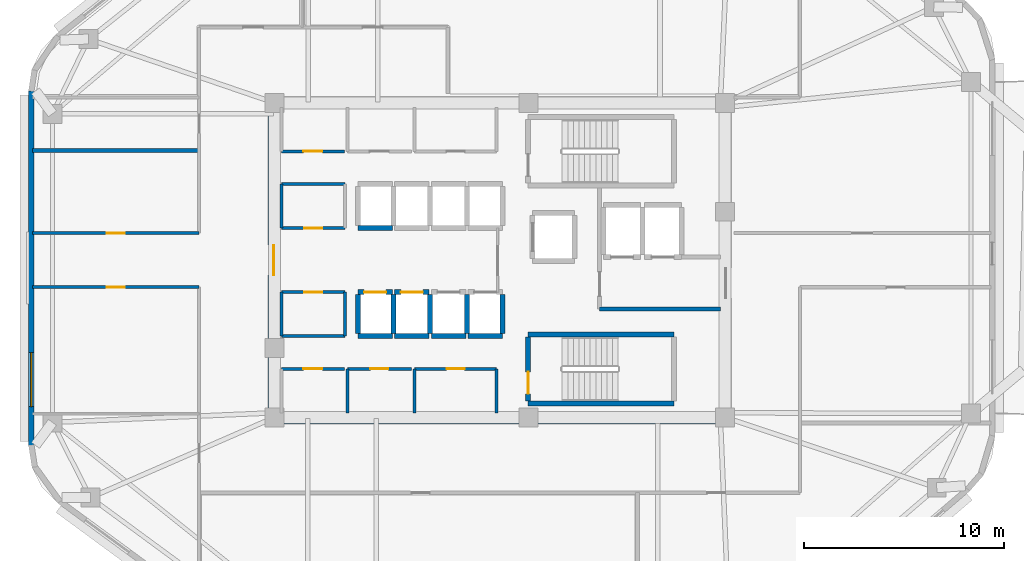
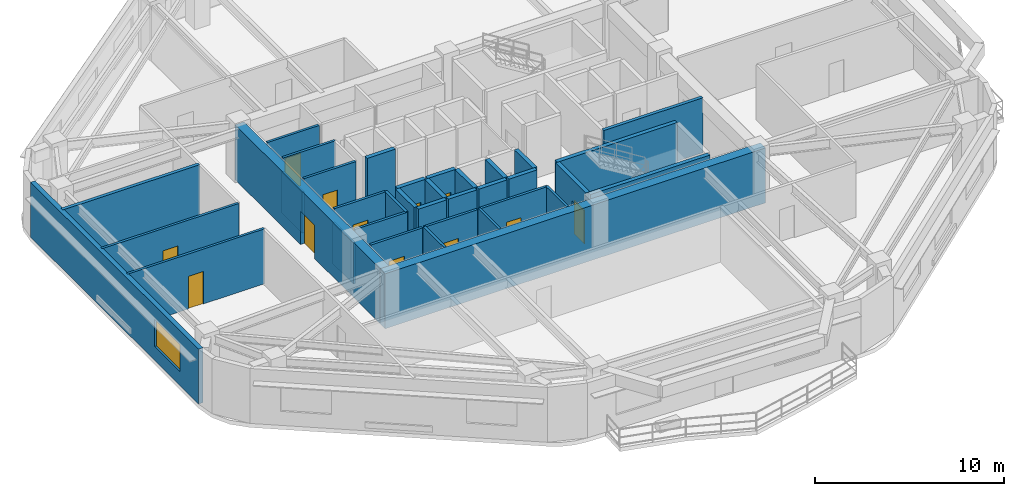
# One storey, part 3 of 8: 36 walls, 12 doors, 1 window, 13 openings.
"""IFC4 building model written with IfcOpenShell, lengths in metres."""

from ifc_helpers import new_model, si_unit, direction, frame, frame_2d, origin, place, context, subcontext, project, spatial, rectangle, extrude, material, layer, layer_set, type_object, element, fill, save


model = new_model("IFC4")

# Units and contexts
model_context = context("Model", 3, precision=1e-05, world=origin(), true_north=direction((0.0, 1.0)))
body_context = subcontext(model_context, "Body", "Model", "MODEL_VIEW")
ifc_project = project(units=[si_unit("LENGTHUNIT", "METRE"), si_unit("AREAUNIT", "SQUARE_METRE"), si_unit("VOLUMEUNIT", "CUBIC_METRE"), si_unit("PLANEANGLEUNIT", "RADIAN"), si_unit("MASSUNIT", "GRAM", prefix="KILO")], contexts=[model_context])

# Site, building, storey
site_placement = place(None, origin())
site = spatial("IfcSite", under=ifc_project, at=site_placement, CompositionType="ELEMENT")
building_placement = place(site_placement, origin())
building = spatial("IfcBuilding", under=site, at=building_placement, Name="Zulverin Broadcast Headquarters", CompositionType="ELEMENT")
storey_placement = place(building_placement, frame((0.0, 0.0, 163.0)))
storey = spatial("IfcBuildingStorey", under=building, at=storey_placement, Name="L41", CompositionType="ELEMENT", Elevation=163.0)

# Walls
ifc_material_1 = material(Name="Acoustic drywall steel stud", Category="steel")
ifc_layer_1 = layer(ifc_material_1, 0.199951171875, Name="Acoustic drywall steel stud", Category="steel")
ifc_layer_set_1 = layer_set([ifc_layer_1], Name="Acoustic drywall steel stud")
wall_type_1 = type_object("IfcWallType", Name="WL-ACOU-200", PredefinedType="PARTITIONING", material=ifc_layer_set_1)
wall_1_placement = place(storey_placement, frame((13.60498046875, 30.699951171875, 0.0), z_axis=(0.0, 0.0, 1.0), x_axis=(1.0, 0.0, 0.0)))
element("IfcWall", 1, at=wall_1_placement, inside=storey, type_object=wall_type_1, Name="L41 Room Partition Wall RP-15", PredefinedType="PARTITIONING", context=body_context, shape_type="SweptSolid", body=[
    extrude(rectangle(XDim=8.344970703125, YDim=0.199951171875, at=frame_2d((4.17236328125, 0.0))), origin(), (0.0, 0.0, 1.0), 3.5400390625),
])
ifc_material_2 = material(Name="Concrete C60/75", Category="concrete")
ifc_layer_2 = layer(ifc_material_2, 0.550048828125, Name="Concrete C60/75", Category="concrete")
ifc_layer_set_2 = layer_set([ifc_layer_2], Name="Concrete C60/75")
wall_type_2 = type_object("IfcWallType", Name="WL-CORE-550", PredefinedType="SHEAR", material=ifc_layer_set_2)
wall_2_placement = place(storey_placement, frame((25.39990234375, 17.27490234375, 0.0), z_axis=(0.0, 0.0, 1.0), x_axis=(1.0, 0.0, 0.0)))
element("IfcWall", 2, at=wall_2_placement, inside=storey, type_object=wall_type_2, Name="L41 Core South Shear Wall", PredefinedType="SHEAR", context=body_context, shape_type="SweptSolid", body=[
    extrude(rectangle(XDim=23.2001953125, YDim=0.550048828125, at=frame_2d((11.60009765625, 0.0))), origin(), (0.0, 0.0, 1.0), 3.5400390625),
])

# Wall, opening, door
wall_3_placement = place(storey_placement, frame((25.675048828125, 17.550048828125, 0.0), z_axis=(0.0, 0.0, 1.0), x_axis=(0.0, 1.0, 0.0)))
wall_3 = element("IfcWall", 3, at=wall_3_placement, inside=storey, type_object=wall_type_2, Name="L41 Core West Shear Wall", PredefinedType="SHEAR", context=body_context, shape_type="SweptSolid", body=[
    extrude(rectangle(XDim=15.300048828125, YDim=0.550048828125, at=frame_2d((7.64990234375, 0.0))), origin(), (0.0, 0.0, 1.0), 3.5400390625),
])
opening_1_placement = place(wall_3_placement, frame((6.89990234375, 0.0, 0.0)))
opening_1 = element("IfcOpeningElement", 4, at=opening_1_placement, cuts=wall_3, Name="Opening D-L41-CW1", PredefinedType="OPENING", context=body_context, shape_type="SweptSolid", body=[
    extrude(rectangle(XDim=1.5, YDim=2.14990234375, at=frame_2d((0.75, 1.074951171875))), frame((0.0, 0.284912109375, 0.0), z_axis=(0.0, -1.0, 0.0), x_axis=(1.0, 0.0, 0.0)), (0.0, 0.0, 1.0), 0.570068359375),
])
ifc_material_3 = material(Name="Fire-rated glazed steel frame", Category="steel")
door_type_1 = type_object("IfcDoorType", Name="DR-COR-1500", OperationType="DOUBLE_DOOR_SINGLE_SWING", PredefinedType="DOOR", material=ifc_material_3)
door_1_placement = place(opening_1_placement, origin())
door_1 = element("IfcDoor", 5, at=door_1_placement, inside=storey, type_object=door_type_1, Name="L41 Central Lift Lobby West Portal Door", OperationType="DOUBLE_DOOR_SINGLE_SWING", OverallHeight=2.14990234375, OverallWidth=1.5, PredefinedType="DOOR", context=body_context, shape_type="SweptSolid", body=[
    extrude(rectangle(XDim=1.5, YDim=2.14990234375, at=frame_2d((0.75, 1.074951171875))), frame((0.0, 0.02490234375, 0.0), z_axis=(0.0, -1.0, 0.0), x_axis=(1.0, 0.0, 0.0)), (0.0, 0.0, 1.0), 0.050048828125),
])
fill(opening_1, door_1)

# Wall, opening, window
ifc_material_4 = material(Name="Insulated pale-metal clad concrete spandrel C40/50", Category="concrete")
ifc_layer_3 = layer(ifc_material_4, 0.280029296875, Name="Insulated pale-metal clad concrete spandrel C40/50", Category="concrete")
ifc_layer_set_3 = layer_set([ifc_layer_3], Name="Insulated pale-metal clad concrete spandrel C40/50")
wall_type_3 = type_object("IfcWallType", Name="WL-EXT-280", PredefinedType="STANDARD", material=ifc_layer_set_3)
wall_4_placement = place(storey_placement, frame((13.5400390625, 33.673095703125, 0.0), z_axis=(0.0, 0.0, 1.0), x_axis=(0.0, -1.0, 0.0)))
wall_4 = element("IfcWall", 6, at=wall_4_placement, inside=storey, type_object=wall_type_3, Name="L41 Pale-Metal Clad Spandrel Wall 7", PredefinedType="STANDARD", context=body_context, shape_type="SweptSolid", body=[
    extrude(rectangle(XDim=17.751220703125, YDim=0.280029296875, at=frame_2d((8.87548828125, 0.0))), origin(), (0.0, 0.0, 1.0), 3.5400390625),
])
opening_2_placement = place(wall_4_placement, frame((13.109375, 0.0, 0.89990234375)))
opening_2 = element("IfcOpeningElement", 7, at=opening_2_placement, cuts=wall_4, Name="Opening W-L41-E71", PredefinedType="OPENING", context=body_context, shape_type="SweptSolid", body=[
    extrude(rectangle(XDim=2.699951171875, YDim=1.75, at=frame_2d((1.35009765625, 0.875))), frame((0.0, 0.14990234375, 0.0), z_axis=(0.0, -1.0, 0.0), x_axis=(1.0, 0.0, 0.0)), (0.0, 0.0, 1.0), 0.300048828125),
])
ifc_material_5 = material(Name="Pale anodized aluminium frame with solar-control low-E double glazing", Category="aluminium")
window_type = type_object("IfcWindowType", Name="WIN-TWR-2700", PartitioningType="SINGLE_PANEL", PredefinedType="WINDOW", material=ifc_material_5)
window_placement = place(opening_2_placement, origin())
window = element("IfcWindow", 8, at=window_placement, inside=storey, type_object=window_type, Name="L41 Ribbon Glazing Window 7 1", OverallHeight=1.75, OverallWidth=2.699951171875, PartitioningType="SINGLE_PANEL", PredefinedType="WINDOW", context=body_context, shape_type="SweptSolid", body=[
    extrude(rectangle(XDim=2.699951171875, YDim=1.75, at=frame_2d((1.35009765625, 0.875))), frame((0.0, 0.030029296875, 0.0), z_axis=(0.0, -1.0, 0.0), x_axis=(1.0, 0.0, 0.0)), (0.0, 0.0, 1.0), 0.06005859375),
])
fill(opening_2, window)

# Wall
ifc_material_6 = material(Name="Concrete C40/50", Category="concrete")
ifc_layer_4 = layer(ifc_material_6, 0.199951171875, Name="Concrete C40/50", Category="concrete")
ifc_layer_set_4 = layer_set([ifc_layer_4], Name="Concrete C40/50")
wall_type_4 = type_object("IfcWallType", Name="WL-FFL-200", PredefinedType="SOLIDWALL", material=ifc_layer_set_4)
wall_5_placement = place(storey_placement, frame((42.0, 22.75, 0.0), z_axis=(0.0, 0.0, 1.0), x_axis=(1.0, 0.0, 0.0)))
element("IfcWall", 9, at=wall_5_placement, inside=storey, type_object=wall_type_4, Name="L41 Firefighting Lift Lobby South Wall", PredefinedType="SOLIDWALL", context=body_context, shape_type="SweptSolid", body=[
    extrude(rectangle(XDim=6.050048828125, YDim=0.199951171875, at=frame_2d((3.02490234375, 0.0))), origin(), (0.0, 0.0, 1.0), 3.5400390625),
])

# Wall, opening, door
ifc_material_7 = material(Name="Fire-rated gypsum stud partition", Category="gypsum")
ifc_layer_5 = layer(ifc_material_7, 0.14990234375, Name="Fire-rated gypsum stud partition", Category="gypsum")
ifc_layer_set_5 = layer_set([ifc_layer_5], Name="Fire-rated gypsum stud partition")
wall_type_5 = type_object("IfcWallType", Name="WL-PART-150", PredefinedType="PARTITIONING", material=ifc_layer_set_5)
wall_6_placement = place(storey_placement, frame((26.070068359375, 30.64990234375, 0.0), z_axis=(0.0, 0.0, 1.0), x_axis=(1.0, 0.0, 0.0)))
wall_6 = element("IfcWall", 10, at=wall_6_placement, inside=storey, type_object=wall_type_5, Name="L41 Core Male WC Front Wall", PredefinedType="PARTITIONING", context=body_context, shape_type="SweptSolid", body=[
    extrude(rectangle(XDim=3.14990234375, YDim=0.14990234375, at=frame_2d((1.574951171875, 0.0))), origin(), (0.0, 0.0, 1.0), 3.5400390625),
])
opening_3_placement = place(wall_6_placement, frame((1.10009765625, 0.0, 0.0)))
opening_3 = element("IfcOpeningElement", 11, at=opening_3_placement, cuts=wall_6, Name="Opening D-L41-NC1", PredefinedType="OPENING", context=body_context, shape_type="SweptSolid", body=[
    extrude(rectangle(XDim=0.949951171875, YDim=2.10009765625, at=frame_2d((0.47509765625, 1.050048828125))), frame((0.0, 0.0849609375, 0.0), z_axis=(0.0, -1.0, 0.0), x_axis=(1.0, 0.0, 0.0)), (0.0, 0.0, 1.0), 0.169921875),
])
ifc_material_8 = material(Name="Fire-rated moisture-resistant laminate leaf", Category="wood")
door_type_2 = type_object("IfcDoorType", Name="DR-WC-950", OperationType="SINGLE_SWING_LEFT", PredefinedType="DOOR", material=ifc_material_8)
door_2_placement = place(opening_3_placement, origin())
door_2 = element("IfcDoor", 12, at=door_2_placement, inside=storey, type_object=door_type_2, Name="L41 Male WC Door", OperationType="SINGLE_SWING_LEFT", OverallHeight=2.10009765625, OverallWidth=0.949951171875, PredefinedType="DOOR", context=body_context, shape_type="SweptSolid", body=[
    extrude(rectangle(XDim=0.949951171875, YDim=2.10009765625, at=frame_2d((0.47509765625, 1.050048828125))), frame((0.0, 0.02490234375, 0.0), z_axis=(0.0, -1.0, 0.0), x_axis=(1.0, 0.0, 0.0)), (0.0, 0.0, 1.0), 0.050048828125),
])
fill(opening_3, door_2)

wall_7_placement = place(storey_placement, frame((26.070068359375, 19.75, 0.0), z_axis=(0.0, 0.0, 1.0), x_axis=(1.0, 0.0, 0.0)))
wall_7 = element("IfcWall", 13, at=wall_7_placement, inside=storey, type_object=wall_type_5, Name="L41 Core Female WC Front Wall", PredefinedType="PARTITIONING", context=body_context, shape_type="SweptSolid", body=[
    extrude(rectangle(XDim=3.14990234375, YDim=0.14990234375, at=frame_2d((1.574951171875, 0.0))), origin(), (0.0, 0.0, 1.0), 3.5400390625),
])
opening_4_placement = place(wall_7_placement, frame((1.10009765625, 0.0, 0.0)))
opening_4 = element("IfcOpeningElement", 14, at=opening_4_placement, cuts=wall_7, Name="Opening D-L41-SC1", PredefinedType="OPENING", context=body_context, shape_type="SweptSolid", body=[
    extrude(rectangle(XDim=0.949951171875, YDim=2.10009765625, at=frame_2d((0.47509765625, 1.050048828125))), frame((0.0, 0.0849609375, 0.0), z_axis=(0.0, -1.0, 0.0), x_axis=(1.0, 0.0, 0.0)), (0.0, 0.0, 1.0), 0.169921875),
])
door_3_placement = place(opening_4_placement, origin())
door_3 = element("IfcDoor", 15, at=door_3_placement, inside=storey, type_object=door_type_2, Name="L41 Female WC Door", OperationType="SINGLE_SWING_RIGHT", OverallHeight=2.10009765625, OverallWidth=0.949951171875, PredefinedType="DOOR", context=body_context, shape_type="SweptSolid", body=[
    extrude(rectangle(XDim=0.949951171875, YDim=2.10009765625, at=frame_2d((0.47509765625, 1.050048828125))), frame((0.0, 0.02490234375, 0.0), z_axis=(0.0, -1.0, 0.0), x_axis=(1.0, 0.0, 0.0)), (0.0, 0.0, 1.0), 0.050048828125),
])
fill(opening_4, door_3)

wall_8_placement = place(storey_placement, frame((29.3798828125, 19.75, 0.0), z_axis=(0.0, 0.0, 1.0), x_axis=(1.0, 0.0, 0.0)))
wall_8 = element("IfcWall", 16, at=wall_8_placement, inside=storey, type_object=wall_type_5, Name="L41 Core Cleaner Store Front Wall", PredefinedType="PARTITIONING", context=body_context, shape_type="SweptSolid", body=[
    extrude(rectangle(XDim=3.190185546875, YDim=0.14990234375, at=frame_2d((1.59521484375, 0.0))), origin(), (0.0, 0.0, 1.0), 3.5400390625),
])
opening_5_placement = place(wall_8_placement, frame((1.14501953125, 0.0, 0.0)))
opening_5 = element("IfcOpeningElement", 17, at=opening_5_placement, cuts=wall_8, Name="Opening D-L41-SC2", PredefinedType="OPENING", context=body_context, shape_type="SweptSolid", body=[
    extrude(rectangle(XDim=0.89990234375, YDim=2.10009765625, at=frame_2d((0.449951171875, 1.050048828125))), frame((0.0, 0.0849609375, 0.0), z_axis=(0.0, -1.0, 0.0), x_axis=(1.0, 0.0, 0.0)), (0.0, 0.0, 1.0), 0.169921875),
])
ifc_material_9 = material(Name="Powder-coated steel access leaf", Category="steel")
door_type_3 = type_object("IfcDoorType", Name="DR-RISER-900", OperationType="SINGLE_SWING_LEFT", PredefinedType="DOOR", material=ifc_material_9)
door_4_placement = place(opening_5_placement, origin())
door_4 = element("IfcDoor", 18, at=door_4_placement, inside=storey, type_object=door_type_3, Name="L41 Cleaner Store Door", OperationType="SINGLE_SWING_LEFT", OverallHeight=2.10009765625, OverallWidth=0.89990234375, PredefinedType="DOOR", context=body_context, shape_type="SweptSolid", body=[
    extrude(rectangle(XDim=0.89990234375, YDim=2.10009765625, at=frame_2d((0.449951171875, 1.050048828125))), frame((0.0, 0.02490234375, 0.0), z_axis=(0.0, -1.0, 0.0), x_axis=(1.0, 0.0, 0.0)), (0.0, 0.0, 1.0), 0.050048828125),
])
fill(opening_5, door_4)

# Wall
wall_9_placement = place(storey_placement, frame((29.3798828125, 17.550048828125, 0.0), z_axis=(0.0, 0.0, 1.0), x_axis=(0.0, 1.0, 0.0)))
element("IfcWall", 19, at=wall_9_placement, inside=storey, type_object=wall_type_5, Name="L41 Core Cleaner Store West Wall", PredefinedType="PARTITIONING", context=body_context, shape_type="SweptSolid", body=[
    extrude(rectangle(XDim=2.199951171875, YDim=0.14990234375, at=frame_2d((1.10009765625, 0.0))), origin(), (0.0, 0.0, 1.0), 3.5400390625),
])

# Wall, opening, door
wall_10_placement = place(storey_placement, frame((32.72998046875, 19.75, 0.0), z_axis=(0.0, 0.0, 1.0), x_axis=(1.0, 0.0, 0.0)))
wall_10 = element("IfcWall", 20, at=wall_10_placement, inside=storey, type_object=wall_type_5, Name="L41 Core Broadcast Fibre Riser Front Wall", PredefinedType="PARTITIONING", context=body_context, shape_type="SweptSolid", body=[
    extrude(rectangle(XDim=4.1201171875, YDim=0.14990234375, at=frame_2d((2.06005859375, 0.0))), origin(), (0.0, 0.0, 1.0), 3.5400390625),
])
opening_6_placement = place(wall_10_placement, frame((1.610107421875, 0.0, 0.0)))
opening_6 = element("IfcOpeningElement", 21, at=opening_6_placement, cuts=wall_10, Name="Opening D-L41-SC3", PredefinedType="OPENING", context=body_context, shape_type="SweptSolid", body=[
    extrude(rectangle(XDim=0.89990234375, YDim=2.10009765625, at=frame_2d((0.449951171875, 1.050048828125))), frame((0.0, 0.0849609375, 0.0), z_axis=(0.0, -1.0, 0.0), x_axis=(1.0, 0.0, 0.0)), (0.0, 0.0, 1.0), 0.169921875),
])
door_5_placement = place(opening_6_placement, origin())
door_5 = element("IfcDoor", 22, at=door_5_placement, inside=storey, type_object=door_type_3, Name="L41 Broadcast Fibre Riser Door", OperationType="SINGLE_SWING_RIGHT", OverallHeight=2.10009765625, OverallWidth=0.89990234375, PredefinedType="DOOR", context=body_context, shape_type="SweptSolid", body=[
    extrude(rectangle(XDim=0.89990234375, YDim=2.10009765625, at=frame_2d((0.449951171875, 1.050048828125))), frame((0.0, 0.02490234375, 0.0), z_axis=(0.0, -1.0, 0.0), x_axis=(1.0, 0.0, 0.0)), (0.0, 0.0, 1.0), 0.050048828125),
])
fill(opening_6, door_5)

# Walls
for number, where, z_axis, x_axis, name in (
    (23, (32.72998046875, 17.550048828125, 0.0), (0.0, 0.0, 1.0), (0.0, 1.0, 0.0), "L41 Core Broadcast Fibre Riser West Wall"),
    (24, (36.85009765625, 17.550048828125, 0.0), (0.0, 0.0, 1.0), (0.0, 1.0, 0.0), "L41 Core Broadcast Fibre Riser East Wall"),
):
    element("IfcWall", number, at=place(storey_placement, frame(where, z_axis=z_axis, x_axis=x_axis)), inside=storey, type_object=wall_type_5, Name=name, PredefinedType="PARTITIONING", context=body_context, shape_type="SweptSolid", body=[
        extrude(rectangle(XDim=2.199951171875, YDim=0.14990234375, at=frame_2d((1.10009765625, 0.0))), origin(), (0.0, 0.0, 1.0), 3.5400390625),
    ])

# Wall, opening, door
wall_11_placement = place(storey_placement, frame((26.070068359375, 26.800048828125, 0.0), z_axis=(0.0, 0.0, 1.0), x_axis=(1.0, 0.0, 0.0)))
wall_11 = element("IfcWall", 25, at=wall_11_placement, inside=storey, type_object=wall_type_5, Name="L41 Core UPS Battery Store S Wall", PredefinedType="PARTITIONING", context=body_context, shape_type="SweptSolid", body=[
    extrude(rectangle(XDim=3.179931640625, YDim=0.14990234375, at=frame_2d((1.58984375, 0.0))), origin(), (0.0, 0.0, 1.0), 3.5400390625),
])
opening_7_placement = place(wall_11_placement, frame((1.139892578125, 0.0, 0.0)))
opening_7 = element("IfcOpeningElement", 26, at=opening_7_placement, cuts=wall_11, Name="Opening D-L41-RCLN", PredefinedType="OPENING", context=body_context, shape_type="SweptSolid", body=[
    extrude(rectangle(XDim=0.89990234375, YDim=2.10009765625, at=frame_2d((0.449951171875, 1.050048828125))), frame((0.0, 0.0849609375, 0.0), z_axis=(0.0, -1.0, 0.0), x_axis=(1.0, 0.0, 0.0)), (0.0, 0.0, 1.0), 0.169921875),
])
door_6_placement = place(opening_7_placement, origin())
door_6 = element("IfcDoor", 27, at=door_6_placement, inside=storey, type_object=door_type_3, Name="L41 Core UPS Battery Store Door", OperationType="SINGLE_SWING_LEFT", OverallHeight=2.10009765625, OverallWidth=0.89990234375, PredefinedType="DOOR", context=body_context, shape_type="SweptSolid", body=[
    extrude(rectangle(XDim=0.89990234375, YDim=2.10009765625, at=frame_2d((0.449951171875, 1.050048828125))), frame((0.0, 0.02490234375, 0.0), z_axis=(0.0, -1.0, 0.0), x_axis=(1.0, 0.0, 0.0)), (0.0, 0.0, 1.0), 0.050048828125),
])
fill(opening_7, door_6)

# Walls
wall_12_placement = place(storey_placement, frame((26.070068359375, 29.0, 0.0), z_axis=(0.0, 0.0, 1.0), x_axis=(1.0, 0.0, 0.0)))
element("IfcWall", 28, at=wall_12_placement, inside=storey, type_object=wall_type_5, Name="L41 Core UPS Battery Store N Wall", PredefinedType="PARTITIONING", context=body_context, shape_type="SweptSolid", body=[
    extrude(rectangle(XDim=3.179931640625, YDim=0.14990234375, at=frame_2d((1.58984375, 0.0))), origin(), (0.0, 0.0, 1.0), 3.5400390625),
])
wall_13_placement = place(storey_placement, frame((26.070068359375, 26.800048828125, 0.0), z_axis=(0.0, 0.0, 1.0), x_axis=(0.0, 1.0, 0.0)))
element("IfcWall", 29, at=wall_13_placement, inside=storey, type_object=wall_type_5, Name="L41 Core UPS Battery Store W Wall", PredefinedType="PARTITIONING", context=body_context, shape_type="SweptSolid", body=[
    extrude(rectangle(XDim=2.199951171875, YDim=0.14990234375, at=frame_2d((1.10009765625, 0.0))), origin(), (0.0, 0.0, 1.0), 2.639892578125),
])
wall_14_placement = place(storey_placement, frame((26.070068359375, 21.39990234375, 0.0), z_axis=(0.0, 0.0, 1.0), x_axis=(1.0, 0.0, 0.0)))
element("IfcWall", 30, at=wall_14_placement, inside=storey, type_object=wall_type_5, Name="L41 Housekeeping Equipment Store S Wall", PredefinedType="PARTITIONING", context=body_context, shape_type="SweptSolid", body=[
    extrude(rectangle(XDim=3.179931640625, YDim=0.14990234375, at=frame_2d((1.58984375, 0.0))), origin(), (0.0, 0.0, 1.0), 3.5400390625),
])

# Wall, opening, door
wall_15_placement = place(storey_placement, frame((26.070068359375, 23.60009765625, 0.0), z_axis=(0.0, 0.0, 1.0), x_axis=(1.0, 0.0, 0.0)))
wall_15 = element("IfcWall", 31, at=wall_15_placement, inside=storey, type_object=wall_type_5, Name="L41 Housekeeping Equipment Store N Wall", PredefinedType="PARTITIONING", context=body_context, shape_type="SweptSolid", body=[
    extrude(rectangle(XDim=3.179931640625, YDim=0.14990234375, at=frame_2d((1.58984375, 0.0))), origin(), (0.0, 0.0, 1.0), 3.5400390625),
])
opening_8_placement = place(wall_15_placement, frame((1.139892578125, 0.0, 0.0)))
opening_8 = element("IfcOpeningElement", 32, at=opening_8_placement, cuts=wall_15, Name="Opening D-L41-RCLS", PredefinedType="OPENING", context=body_context, shape_type="SweptSolid", body=[
    extrude(rectangle(XDim=0.89990234375, YDim=2.10009765625, at=frame_2d((0.449951171875, 1.050048828125))), frame((0.0, 0.0849609375, 0.0), z_axis=(0.0, -1.0, 0.0), x_axis=(1.0, 0.0, 0.0)), (0.0, 0.0, 1.0), 0.169921875),
])
door_7_placement = place(opening_8_placement, origin())
door_7 = element("IfcDoor", 33, at=door_7_placement, inside=storey, type_object=door_type_3, Name="L41 Housekeeping Equipment Store Door", OperationType="SINGLE_SWING_RIGHT", OverallHeight=2.10009765625, OverallWidth=0.89990234375, PredefinedType="DOOR", context=body_context, shape_type="SweptSolid", body=[
    extrude(rectangle(XDim=0.89990234375, YDim=2.10009765625, at=frame_2d((0.449951171875, 1.050048828125))), frame((0.0, 0.02490234375, 0.0), z_axis=(0.0, -1.0, 0.0), x_axis=(1.0, 0.0, 0.0)), (0.0, 0.0, 1.0), 0.050048828125),
])
fill(opening_8, door_7)

# Walls
wall_16_placement = place(storey_placement, frame((26.070068359375, 21.39990234375, 0.0), z_axis=(0.0, 0.0, 1.0), x_axis=(0.0, 1.0, 0.0)))
element("IfcWall", 34, at=wall_16_placement, inside=storey, type_object=wall_type_5, Name="L41 Housekeeping Equipment Store W Wall", PredefinedType="PARTITIONING", context=body_context, shape_type="SweptSolid", body=[
    extrude(rectangle(XDim=2.2001953125, YDim=0.14990234375, at=frame_2d((1.10009765625, 0.0))), origin(), (0.0, 0.0, 1.0), 2.639892578125),
])
wall_17_placement = place(storey_placement, frame((29.25, 21.39990234375, 0.0), z_axis=(0.0, 0.0, 1.0), x_axis=(0.0, 1.0, 0.0)))
element("IfcWall", 35, at=wall_17_placement, inside=storey, type_object=wall_type_5, Name="L41 Housekeeping Equipment Store E Wall", PredefinedType="PARTITIONING", context=body_context, shape_type="SweptSolid", body=[
    extrude(rectangle(XDim=2.2001953125, YDim=0.14990234375, at=frame_2d((1.10009765625, 0.0))), origin(), (0.0, 0.0, 1.0), 3.5400390625),
])

# Wall, opening, door
wall_18_placement = place(storey_placement, frame((13.60498046875, 23.85009765625, 0.0), z_axis=(0.0, 0.0, 1.0), x_axis=(1.0, 0.0, 0.0)))
wall_18 = element("IfcWall", 36, at=wall_18_placement, inside=storey, type_object=wall_type_5, Name="L41 Gallery Partition Wall CG-11", PredefinedType="PARTITIONING", context=body_context, shape_type="SweptSolid", body=[
    extrude(rectangle(XDim=8.344970703125, YDim=0.14990234375, at=frame_2d((4.17236328125, 0.0))), origin(), (0.0, 0.0, 1.0), 3.5400390625),
])
opening_9_placement = place(wall_18_placement, frame((3.722412109375, 0.0, 0.0)))
opening_9 = element("IfcOpeningElement", 37, at=opening_9_placement, cuts=wall_18, Name="Opening D-L41-06", PredefinedType="OPENING", context=body_context, shape_type="SweptSolid", body=[
    extrude(rectangle(XDim=0.89990234375, YDim=2.10009765625, at=frame_2d((0.449951171875, 1.050048828125))), frame((0.0, 0.0849609375, 0.0), z_axis=(0.0, -1.0, 0.0), x_axis=(1.0, 0.0, 0.0)), (0.0, 0.0, 1.0), 0.169921875),
])
ifc_material_10 = material(Name="Fire-rated hardwood veneer timber leaf", Category="wood")
door_type_4 = type_object("IfcDoorType", Name="DR-ROOM-900", OperationType="SINGLE_SWING_RIGHT", PredefinedType="DOOR", material=ifc_material_10)
door_8_placement = place(opening_9_placement, origin())
door_8 = element("IfcDoor", 38, at=door_8_placement, inside=storey, type_object=door_type_4, Name="L41 Briefing Room Door", OperationType="SINGLE_SWING_LEFT", OverallHeight=2.10009765625, OverallWidth=0.89990234375, PredefinedType="DOOR", context=body_context, shape_type="SweptSolid", body=[
    extrude(rectangle(XDim=0.89990234375, YDim=2.10009765625, at=frame_2d((0.449951171875, 1.050048828125))), frame((0.0, 0.02490234375, 0.0), z_axis=(0.0, -1.0, 0.0), x_axis=(1.0, 0.0, 0.0)), (0.0, 0.0, 1.0), 0.050048828125),
])
fill(opening_9, door_8)

wall_19_placement = place(storey_placement, frame((13.60498046875, 26.550048828125, 0.0), z_axis=(0.0, 0.0, 1.0), x_axis=(1.0, 0.0, 0.0)))
wall_19 = element("IfcWall", 39, at=wall_19_placement, inside=storey, type_object=wall_type_5, Name="L41 Gallery Partition Wall CG-13", PredefinedType="PARTITIONING", context=body_context, shape_type="SweptSolid", body=[
    extrude(rectangle(XDim=8.344970703125, YDim=0.14990234375, at=frame_2d((4.17236328125, 0.0))), origin(), (0.0, 0.0, 1.0), 3.5400390625),
])
opening_10_placement = place(wall_19_placement, frame((3.722412109375, 0.0, 0.0)))
opening_10 = element("IfcOpeningElement", 40, at=opening_10_placement, cuts=wall_19, Name="Opening D-L41-07", PredefinedType="OPENING", context=body_context, shape_type="SweptSolid", body=[
    extrude(rectangle(XDim=0.89990234375, YDim=2.10009765625, at=frame_2d((0.449951171875, 1.050048828125))), frame((0.0, 0.0849609375, 0.0), z_axis=(0.0, -1.0, 0.0), x_axis=(1.0, 0.0, 0.0)), (0.0, 0.0, 1.0), 0.169921875),
])
door_9_placement = place(opening_10_placement, origin())
door_9 = element("IfcDoor", 41, at=door_9_placement, inside=storey, type_object=door_type_4, Name="L41 Archive Library Door", OperationType="SINGLE_SWING_RIGHT", OverallHeight=2.10009765625, OverallWidth=0.89990234375, PredefinedType="DOOR", context=body_context, shape_type="SweptSolid", body=[
    extrude(rectangle(XDim=0.89990234375, YDim=2.10009765625, at=frame_2d((0.449951171875, 1.050048828125))), frame((0.0, 0.02490234375, 0.0), z_axis=(0.0, -1.0, 0.0), x_axis=(1.0, 0.0, 0.0)), (0.0, 0.0, 1.0), 0.050048828125),
])
fill(opening_10, door_9)

# Walls
ifc_material_11 = material(Name="Concrete C50/60", Category="concrete")
ifc_layer_6 = layer(ifc_material_11, 0.25, Name="Concrete C50/60", Category="concrete")
ifc_layer_set_6 = layer_set([ifc_layer_6], Name="Concrete C50/60")
wall_type_6 = type_object("IfcWallType", Name="WL-SHAFT-250", PredefinedType="SHEAR", material=ifc_layer_set_6)
for number, where, z_axis, x_axis, name in (
    (42, (38.425048828125, 18.02490234375, 0.0), (0.0, 0.0, 1.0), (1.0, 0.0, 0.0), "L41 ST-2 Enclosure Wall S"),
    (43, (38.425048828125, 21.47509765625, 0.0), (0.0, 0.0, 1.0), (1.0, 0.0, 0.0), "L41 ST-2 Enclosure Wall N"),
):
    element("IfcWall", number, at=place(storey_placement, frame(where, z_axis=z_axis, x_axis=x_axis)), inside=storey, type_object=wall_type_6, Name=name, PredefinedType="SHEAR", context=body_context, shape_type="SweptSolid", body=[
        extrude(rectangle(XDim=7.300048828125, YDim=0.25, at=frame_2d((3.64990234375, 0.0))), origin(), (0.0, 0.0, 1.0), 3.5400390625),
    ])

# Wall, opening, door
wall_20_placement = place(storey_placement, frame((38.425048828125, 18.14990234375, 0.0), z_axis=(0.0, 0.0, 1.0), x_axis=(0.0, 1.0, 0.0)))
wall_20 = element("IfcWall", 44, at=wall_20_placement, inside=storey, type_object=wall_type_6, Name="L41 ST-2 Enclosure Wall W", PredefinedType="SHEAR", context=body_context, shape_type="SweptSolid", body=[
    extrude(rectangle(XDim=3.2001953125, YDim=0.25, at=frame_2d((1.60009765625, 0.0))), origin(), (0.0, 0.0, 1.0), 3.5400390625),
])
opening_11_placement = place(wall_20_placement, frame((0.35009765625, 0.0, 0.0)))
opening_11 = element("IfcOpeningElement", 45, at=opening_11_placement, cuts=wall_20, Name="Opening D-L41-ST-2", PredefinedType="OPENING", context=body_context, shape_type="SweptSolid", body=[
    extrude(rectangle(XDim=1.10009765625, YDim=2.14990234375, at=frame_2d((0.550048828125, 1.074951171875))), frame((0.0, 0.135009765625, 0.0), z_axis=(0.0, -1.0, 0.0), x_axis=(1.0, 0.0, 0.0)), (0.0, 0.0, 1.0), 0.27001953125),
])
ifc_material_12 = material(Name="Fire-rated steel leaf and frame", Category="steel")
door_type_5 = type_object("IfcDoorType", Name="DR-STAIR-1100", OperationType="SINGLE_SWING_LEFT", PredefinedType="DOOR", material=ifc_material_12)
door_10_placement = place(opening_11_placement, origin())
door_10 = element("IfcDoor", 46, at=door_10_placement, inside=storey, type_object=door_type_5, Name="L41 Exit Stair ST-2 Fire Door", OperationType="SINGLE_SWING_RIGHT", OverallHeight=2.14990234375, OverallWidth=1.10009765625, PredefinedType="DOOR", context=body_context, shape_type="SweptSolid", body=[
    extrude(rectangle(XDim=1.10009765625, YDim=2.14990234375, at=frame_2d((0.550048828125, 1.074951171875))), frame((0.0, 0.02490234375, 0.0), z_axis=(0.0, -1.0, 0.0), x_axis=(1.0, 0.0, 0.0)), (0.0, 0.0, 1.0), 0.050048828125),
])
fill(opening_11, door_10)

# Wall
wall_21_placement = place(storey_placement, frame((29.89990234375, 21.39990234375, 0.0), z_axis=(0.0, 0.0, 1.0), x_axis=(1.0, 0.0, 0.0)))
element("IfcWall", 47, at=wall_21_placement, inside=storey, type_object=wall_type_6, Name="L41 Lift PL-M1 Shaft Wall S", PredefinedType="SHEAR", context=body_context, shape_type="SweptSolid", body=[
    extrude(rectangle(XDim=1.72021484375, YDim=0.25, at=frame_2d((0.860107421875, 0.0))), origin(), (0.0, 0.0, 1.0), 3.5400390625),
])

# Wall, opening, door
wall_22_placement = place(storey_placement, frame((29.89990234375, 23.60009765625, 0.0), z_axis=(0.0, 0.0, 1.0), x_axis=(1.0, 0.0, 0.0)))
wall_22 = element("IfcWall", 48, at=wall_22_placement, inside=storey, type_object=wall_type_6, Name="L41 Lift PL-M1 Shaft Wall N", PredefinedType="SHEAR", context=body_context, shape_type="SweptSolid", body=[
    extrude(rectangle(XDim=1.72021484375, YDim=0.25, at=frame_2d((0.860107421875, 0.0))), origin(), (0.0, 0.0, 1.0), 3.5400390625),
])
opening_12_placement = place(wall_22_placement, frame((0.31005859375, 0.0, 0.0)))
opening_12 = element("IfcOpeningElement", 49, at=opening_12_placement, cuts=wall_22, Name="Opening LD-PL-M1-L41", PredefinedType="OPENING", context=body_context, shape_type="SweptSolid", body=[
    extrude(rectangle(XDim=1.10009765625, YDim=2.14990234375, at=frame_2d((0.550048828125, 1.074951171875))), frame((0.0, 0.135009765625, 0.0), z_axis=(0.0, -1.0, 0.0), x_axis=(1.0, 0.0, 0.0)), (0.0, 0.0, 1.0), 0.27001953125),
])
ifc_material_13 = material(Name="Brushed stainless steel landing", Category="steel")
door_type_6 = type_object("IfcDoorType", Name="LD-PASS-1100", OperationType="DOUBLE_DOOR_SLIDING", PredefinedType="DOOR", material=ifc_material_13)
door_11_placement = place(opening_12_placement, origin())
door_11 = element("IfcDoor", 50, at=door_11_placement, inside=storey, type_object=door_type_6, Name="L41 Lift PL-M1 Sliding Landing Door", OperationType="DOUBLE_DOOR_SLIDING", OverallHeight=2.14990234375, OverallWidth=1.10009765625, PredefinedType="DOOR", context=body_context, shape_type="SweptSolid", body=[
    extrude(rectangle(XDim=1.10009765625, YDim=2.14990234375, at=frame_2d((0.550048828125, 1.074951171875))), frame((0.0, 0.02490234375, 0.0), z_axis=(0.0, -1.0, 0.0), x_axis=(1.0, 0.0, 0.0)), (0.0, 0.0, 1.0), 0.050048828125),
])
fill(opening_12, door_11)

# Walls
for number, where, z_axis, x_axis, name in (
    (51, (29.89990234375, 21.52001953125, 0.0), (0.0, 0.0, 1.0), (0.0, 1.0, 0.0), "L41 Lift PL-M1 Shaft Wall W"),
    (52, (31.679931640625, 21.52001953125, 0.0), (0.0, 0.0, 1.0), (0.0, 1.0, 0.0), "L41 Lift PL-M1 Shaft Wall E"),
):
    element("IfcWall", number, at=place(storey_placement, frame(where, z_axis=z_axis, x_axis=x_axis)), inside=storey, type_object=wall_type_6, Name=name, PredefinedType="SHEAR", context=body_context, shape_type="SweptSolid", body=[
        extrude(rectangle(XDim=1.9599609375, YDim=0.25, at=frame_2d((0.97998046875, 0.0))), origin(), (0.0, 0.0, 1.0), 3.5400390625),
    ])
wall_23_placement = place(storey_placement, frame((31.739990234375, 21.39990234375, 0.0), z_axis=(0.0, 0.0, 1.0), x_axis=(1.0, 0.0, 0.0)))
element("IfcWall", 53, at=wall_23_placement, inside=storey, type_object=wall_type_6, Name="L41 Lift PL-M2 Shaft Wall S", PredefinedType="SHEAR", context=body_context, shape_type="SweptSolid", body=[
    extrude(rectangle(XDim=1.719970703125, YDim=0.25, at=frame_2d((0.85986328125, 0.0))), origin(), (0.0, 0.0, 1.0), 3.5400390625),
])

# Wall, opening, door
wall_24_placement = place(storey_placement, frame((31.739990234375, 23.60009765625, 0.0), z_axis=(0.0, 0.0, 1.0), x_axis=(1.0, 0.0, 0.0)))
wall_24 = element("IfcWall", 54, at=wall_24_placement, inside=storey, type_object=wall_type_6, Name="L41 Lift PL-M2 Shaft Wall N", PredefinedType="SHEAR", context=body_context, shape_type="SweptSolid", body=[
    extrude(rectangle(XDim=1.719970703125, YDim=0.25, at=frame_2d((0.85986328125, 0.0))), origin(), (0.0, 0.0, 1.0), 3.5400390625),
])
opening_13_placement = place(wall_24_placement, frame((0.31005859375, 0.0, 0.0)))
opening_13 = element("IfcOpeningElement", 55, at=opening_13_placement, cuts=wall_24, Name="Opening LD-PL-M2-L41", PredefinedType="OPENING", context=body_context, shape_type="SweptSolid", body=[
    extrude(rectangle(XDim=1.10009765625, YDim=2.14990234375, at=frame_2d((0.550048828125, 1.074951171875))), frame((0.0, 0.135009765625, 0.0), z_axis=(0.0, -1.0, 0.0), x_axis=(1.0, 0.0, 0.0)), (0.0, 0.0, 1.0), 0.27001953125),
])
door_12_placement = place(opening_13_placement, origin())
door_12 = element("IfcDoor", 56, at=door_12_placement, inside=storey, type_object=door_type_6, Name="L41 Lift PL-M2 Sliding Landing Door", OperationType="DOUBLE_DOOR_SLIDING", OverallHeight=2.14990234375, OverallWidth=1.10009765625, PredefinedType="DOOR", context=body_context, shape_type="SweptSolid", body=[
    extrude(rectangle(XDim=1.10009765625, YDim=2.14990234375, at=frame_2d((0.550048828125, 1.074951171875))), frame((0.0, 0.02490234375, 0.0), z_axis=(0.0, -1.0, 0.0), x_axis=(1.0, 0.0, 0.0)), (0.0, 0.0, 1.0), 0.050048828125),
])
fill(opening_13, door_12)

# Walls
wall_25_placement = place(storey_placement, frame((33.52001953125, 21.52001953125, 0.0), z_axis=(0.0, 0.0, 1.0), x_axis=(0.0, 1.0, 0.0)))
element("IfcWall", 57, at=wall_25_placement, inside=storey, type_object=wall_type_6, Name="L41 Lift PL-M2 Shaft Wall E", PredefinedType="SHEAR", context=body_context, shape_type="SweptSolid", body=[
    extrude(rectangle(XDim=1.9599609375, YDim=0.25, at=frame_2d((0.97998046875, 0.0))), origin(), (0.0, 0.0, 1.0), 3.5400390625),
])
wall_26_placement = place(storey_placement, frame((33.580078125, 21.39990234375, 0.0), z_axis=(0.0, 0.0, 1.0), x_axis=(1.0, 0.0, 0.0)))
element("IfcWall", 58, at=wall_26_placement, inside=storey, type_object=wall_type_6, Name="L41 Lift PL-M3 Shaft Wall S", PredefinedType="SHEAR", context=body_context, shape_type="SweptSolid", body=[
    extrude(rectangle(XDim=1.719970703125, YDim=0.25, at=frame_2d((0.85986328125, 0.0))), origin(), (0.0, 0.0, 1.0), 3.5400390625),
])
wall_27_placement = place(storey_placement, frame((35.360107421875, 21.52001953125, 0.0), z_axis=(0.0, 0.0, 1.0), x_axis=(0.0, 1.0, 0.0)))
element("IfcWall", 59, at=wall_27_placement, inside=storey, type_object=wall_type_6, Name="L41 Lift PL-M3 Shaft Wall E", PredefinedType="SHEAR", context=body_context, shape_type="SweptSolid", body=[
    extrude(rectangle(XDim=1.9599609375, YDim=0.25, at=frame_2d((0.97998046875, 0.0))), origin(), (0.0, 0.0, 1.0), 3.5400390625),
])
wall_28_placement = place(storey_placement, frame((35.419921875, 21.39990234375, 0.0), z_axis=(0.0, 0.0, 1.0), x_axis=(1.0, 0.0, 0.0)))
element("IfcWall", 60, at=wall_28_placement, inside=storey, type_object=wall_type_6, Name="L41 Lift PL-M4 Shaft Wall S", PredefinedType="SHEAR", context=body_context, shape_type="SweptSolid", body=[
    extrude(rectangle(XDim=1.719970703125, YDim=0.25, at=frame_2d((0.85986328125, 0.0))), origin(), (0.0, 0.0, 1.0), 3.5400390625),
])
wall_29_placement = place(storey_placement, frame((37.139892578125, 21.52001953125, 0.0), z_axis=(0.0, 0.0, 1.0), x_axis=(0.0, 1.0, 0.0)))
element("IfcWall", 61, at=wall_29_placement, inside=storey, type_object=wall_type_6, Name="L41 Lift PL-M4 Shaft Wall E", PredefinedType="SHEAR", context=body_context, shape_type="SweptSolid", body=[
    extrude(rectangle(XDim=1.9599609375, YDim=0.25, at=frame_2d((0.97998046875, 0.0))), origin(), (0.0, 0.0, 1.0), 3.5400390625),
])
wall_30_placement = place(storey_placement, frame((29.89990234375, 26.800048828125, 0.0), z_axis=(0.0, 0.0, 1.0), x_axis=(1.0, 0.0, 0.0)))
element("IfcWall", 62, at=wall_30_placement, inside=storey, type_object=wall_type_6, Name="L41 Lift PL-H1 Shaft Wall S", PredefinedType="SHEAR", context=body_context, shape_type="SweptSolid", body=[
    extrude(rectangle(XDim=1.72021484375, YDim=0.25, at=frame_2d((0.860107421875, 0.0))), origin(), (0.0, 0.0, 1.0), 3.5400390625),
])

save(model, "model.ifc")
